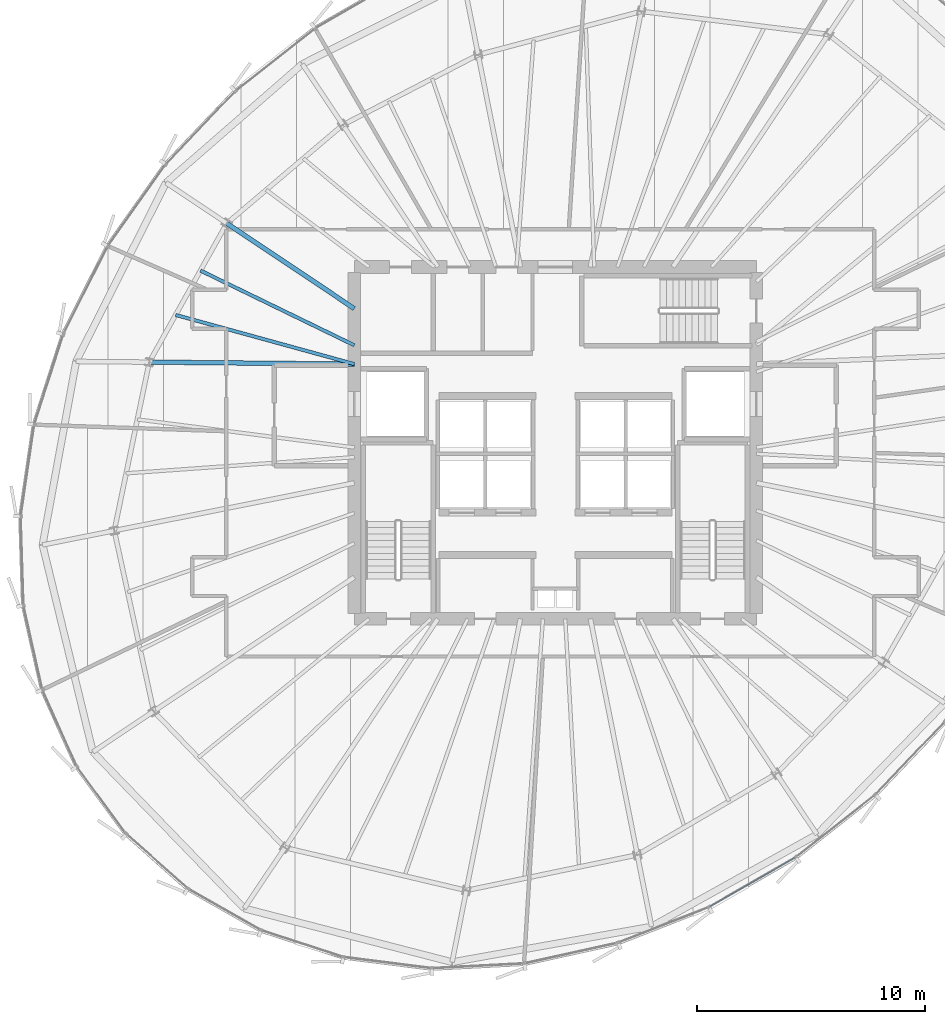
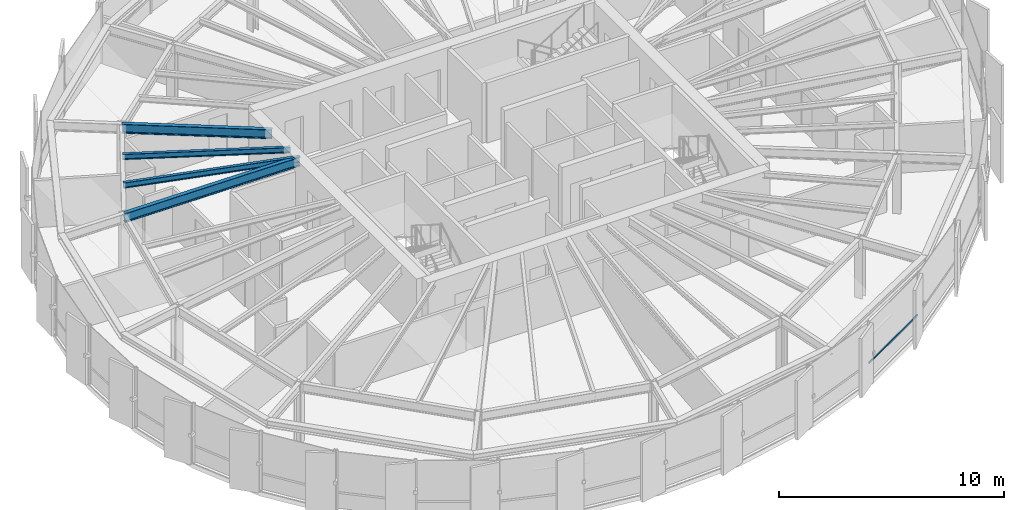
# One storey, part 11 of 35: 4 beams, 1 member, 1 element without a shape of its own.
"""IFC4 building model written with IfcOpenShell, lengths in metres."""

from ifc_helpers import new_model, si_unit, direction, frame, origin, origin_2d, place, context, subcontext, project, spatial, hollow_rectangle, i_section, extrude, source, transform, mapped, material, layer, layer_set, material_profile, profile_set, type_object, element, aggregate, save


model = new_model("IFC4")

# Units and contexts
model_context = context("Model", 3, precision=1e-05, world=origin(), true_north=direction((0.0, 1.0)))
body_context = subcontext(model_context, "Body", "Model", "MODEL_VIEW")
ifc_project = project(units=[si_unit("LENGTHUNIT", "METRE"), si_unit("AREAUNIT", "SQUARE_METRE"), si_unit("VOLUMEUNIT", "CUBIC_METRE"), si_unit("PLANEANGLEUNIT", "RADIAN"), si_unit("MASSUNIT", "GRAM", prefix="KILO"), si_unit("THERMODYNAMICTEMPERATUREUNIT", "KELVIN")], contexts=[model_context])

# Site, building, storey
site_placement = place(None, origin())
site = spatial("IfcSite", under=ifc_project, at=site_placement, CompositionType="ELEMENT")
building_placement = place(site_placement, origin())
building = spatial("IfcBuilding", under=site, at=building_placement, Name="Kethvar Cultural Tower", CompositionType="ELEMENT")
storey_placement = place(building_placement, frame((0.0, 0.0, 204.39990234375)))
storey = spatial("IfcBuildingStorey", under=building, at=storey_placement, Name="L53", CompositionType="ELEMENT", Elevation=204.39990234375)

# Beams
ifc_material_1 = material(Name="Steel S355J2", Category="steel")
ifc_material_profile_1 = material_profile(ifc_material_1, i_section(OverallWidth=0.199951171875, OverallDepth=0.5, WebThickness=0.01025390625, FlangeThickness=0.01611328125, FilletRadius=0.02099609375, at=origin_2d()), Name="Steel S355J2 — IPE500")
ifc_profile_set_1 = profile_set([ifc_material_profile_1], Name="Steel S355J2 — IPE500")
beam_type_1 = type_object("IfcBeamType", Name="BM-IPE500", PredefinedType="BEAM", material=ifc_profile_set_1)
shared_shape_1 = source(origin(), body_context, "Body", "SweptSolid", [
    extrude(i_section(OverallWidth=0.199951171875, OverallDepth=0.5, WebThickness=0.01025390625, FlangeThickness=0.01611328125, FilletRadius=0.02099609375, at=origin_2d()), origin(), (0.0, 0.0, 1.0), 6.713134765625),
])
beam_1_placement = place(storey_placement, frame((38.0, 33.679931640625, 3.008056640625), z_axis=(-0.831479157792, 0.55555594692, 0.0), x_axis=(-0.55555594692, -0.831479157792, 0.0)))
element("IfcBeam", 1, at=beam_1_placement, inside=storey, type_object=beam_type_1, Name="L53 Primary Radial Beam RB-07", PredefinedType="BEAM", context=body_context, shape_type="MappedRepresentation", body=[
    mapped(shared_shape_1, transform((0.0, 0.0, 0.0), scale=1.0)),
])
shared_shape_2 = source(origin(), body_context, "Body", "SweptSolid", [
    extrude(i_section(OverallWidth=0.199951171875, OverallDepth=0.5, WebThickness=0.01025390625, FlangeThickness=0.01611328125, FilletRadius=0.02099609375, at=origin_2d()), origin(), (0.0, 0.0, 1.0), 8.9755859375),
])
beam_2_placement = place(storey_placement, frame((38.0, 31.25, 3.008056640625), z_axis=(-0.999954421893, 0.00954746755, 0.0), x_axis=(-0.00954746755, -0.999954421893, 0.0)))
element("IfcBeam", 2, at=beam_2_placement, inside=storey, type_object=beam_type_1, Name="L53 Primary Radial Beam RB-08", PredefinedType="BEAM", context=body_context, shape_type="MappedRepresentation", body=[
    mapped(shared_shape_2, transform((0.0, 0.0, 0.0), scale=1.0)),
])
ifc_material_profile_2 = material_profile(ifc_material_1, i_section(OverallWidth=0.14990234375, OverallDepth=0.300048828125, WebThickness=0.007080078125, FlangeThickness=0.0107421875, FilletRadius=0.014892578125, at=origin_2d()), Name="Steel S355J2 — IPE300")
ifc_profile_set_2 = profile_set([ifc_material_profile_2], Name="Steel S355J2 — IPE300")
beam_type_2 = type_object("IfcBeamType", Name="BM-J300", PredefinedType="JOIST", material=ifc_profile_set_2)
shared_shape_3 = source(origin(), body_context, "Body", "SweptSolid", [
    extrude(i_section(OverallWidth=0.14990234375, OverallDepth=0.300048828125, WebThickness=0.007080078125, FlangeThickness=0.0107421875, FilletRadius=0.014892578125, at=origin_2d()), origin(), (0.0, 0.0, 1.0), 7.48779296875),
])
beam_3_placement = place(storey_placement, frame((38.0, 32.073486328125, 3.108154296875), z_axis=(-0.8995385432, 0.436841400623, 0.0), x_axis=(-0.436841400623, -0.8995385432, 0.0)))
element("IfcBeam", 3, at=beam_3_placement, inside=storey, type_object=beam_type_2, Name="L53 Composite Floor Joist J-07A", PredefinedType="JOIST", context=body_context, shape_type="MappedRepresentation", body=[
    mapped(shared_shape_3, transform((0.0, 0.0, 0.0), scale=1.0)),
])
shared_shape_4 = source(origin(), body_context, "Body", "SweptSolid", [
    extrude(i_section(OverallWidth=0.14990234375, OverallDepth=0.300048828125, WebThickness=0.007080078125, FlangeThickness=0.0107421875, FilletRadius=0.014892578125, at=origin_2d()), origin(), (0.0, 0.0, 1.0), 8.111572265625),
])
beam_4_placement = place(storey_placement, frame((38.0, 31.25, 3.108154296875), z_axis=(-0.96420462331, 0.265159281164, 0.0), x_axis=(-0.265159281164, -0.96420462331, 0.0)))
element("IfcBeam", 4, at=beam_4_placement, inside=storey, type_object=beam_type_2, Name="L53 Composite Floor Joist J-07B", PredefinedType="JOIST", context=body_context, shape_type="MappedRepresentation", body=[
    mapped(shared_shape_4, transform((0.0, 0.0, 0.0), scale=1.0)),
])

# Curtain wall, member
ifc_material_2 = material(Name="Aluminium 6063-T6", Category="aluminium")
ifc_layer = layer(ifc_material_2, 0.179931640625, Name="Aluminium 6063-T6", Category="aluminium")
ifc_layer_set = layer_set([ifc_layer], Name="Aluminium 6063-T6 (180 mm)")
curtain_wall_type = type_object("IfcCurtainWallType", Name="CW-SYS-04-Z34", PredefinedType="NOTDEFINED", material=ifc_layer_set)
curtain_wall_placement = place(storey_placement, origin())
curtain_wall = element("IfcCurtainWall", 5, at=curtain_wall_placement, inside=storey, type_object=curtain_wall_type, Name="L53 Curtain Wall Run 05", PredefinedType="NOTDEFINED")
ifc_material_profile_3 = material_profile(ifc_material_2, hollow_rectangle(XDim=0.050048828125, YDim=0.10009765625, WallThickness=0.00390625, at=origin_2d()), Name="Aluminium 6063-T6 — RHS100x50x4")
ifc_profile_set_3 = profile_set([ifc_material_profile_3], Name="Aluminium 6063-T6 — RHS100x50x4")
member_type = type_object("IfcMemberType", Name="CW-SYS-04-Z34-TRN", PredefinedType="USERDEFINED", material=ifc_profile_set_3)
shared_shape_5 = source(origin(), body_context, "Body", "SweptSolid", [
    extrude(hollow_rectangle(XDim=0.050048828125, YDim=0.10009765625, WallThickness=0.00390625, at=origin_2d()), origin(), (0.0, 0.0, 1.0), 4.313232421875),
])
member_placement = place(storey_placement, frame((53.55810546875, 7.50048828125, 0.9501953125), z_axis=(0.866797439228, 0.498660404832, 0.0), x_axis=(-0.498660404832, 0.866797439228, 0.0)))
member = element("IfcMember", 6, at=member_placement, type_object=member_type, Name="CW-L53-R05 Transom 2", ObjectType="TRANSOM", PredefinedType="USERDEFINED", context=body_context, shape_type="MappedRepresentation", body=[
    mapped(shared_shape_5, transform((0.0, 0.0, 0.0), scale=1.0)),
])
aggregate(curtain_wall, [member])

save(model, "model.ifc")
